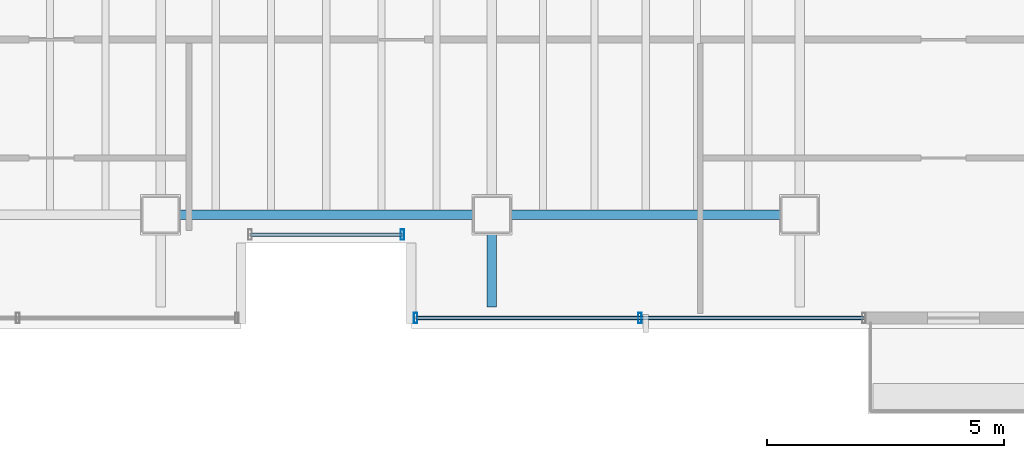
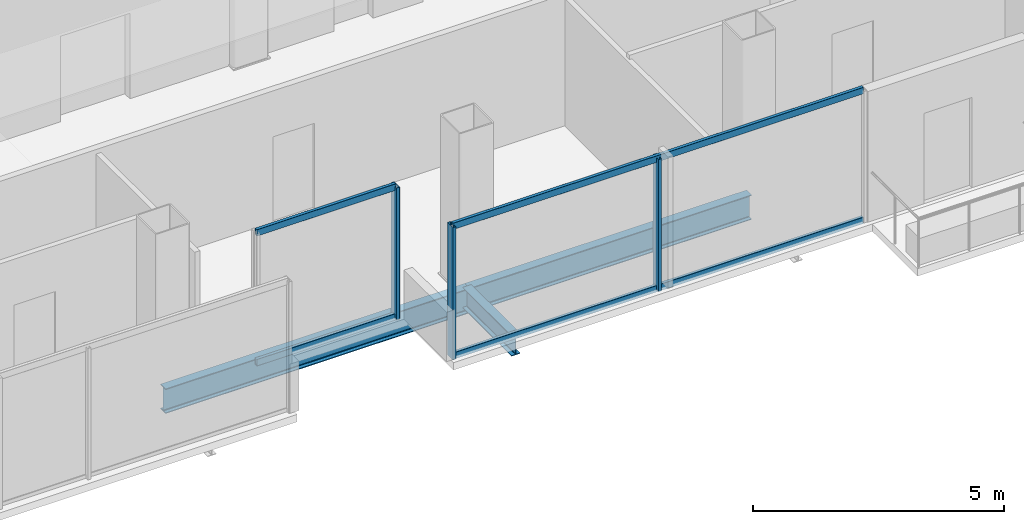
# One storey, part 6 of 17: 7 members, 3 beams, 2 elements without a shape of their own.
"""IFC4 building model written with IfcOpenShell, lengths in metres."""

import ifcopenshell
import ifcopenshell.guid

model = None  # the IFC model being written
_history = None  # IfcOwnerHistory: only IFC2X3 demands one
_inside = {}  # id of a spatial element -> (the spatial element, [elements in it])
_under = {}  # id of a project, library or spatial element -> (it, [spatial elements below it])
_declared = {}  # id of a project -> (the project, [libraries it declares])
_typed = {}  # id of a type object -> (the type object, [elements of that type])
_made_of = {}  # id of a material, layer set ... -> (it, [elements and type objects made of it])


def new_model(schema):
    """Start an empty IFC model of exactly this schema.

    Asked for "IFC4X3", IfcOpenShell would pick the latest addendum, in which some entities
    have other attributes; the version numbers below select the first issue.
    IFC2X3 requires an IfcOwnerHistory on every rooted entity: one is made here for all.
    """
    global model, _history
    if schema == "IFC4X3":
        model = ifcopenshell.file(schema_version=(4, 3, 0, 0))
    else:
        model = ifcopenshell.file(schema=schema)
    _inside.clear()
    _under.clear()
    _declared.clear()
    _typed.clear()
    _made_of.clear()
    _history = None
    if model.schema == "IFC2X3":
        org = make("IfcOrganization", Name="unknown")
        user = make(
            "IfcPersonAndOrganization",
            ThePerson=make("IfcPerson", FamilyName="unknown"),
            TheOrganization=org,
        )
        app = make(
            "IfcApplication",
            ApplicationDeveloper=org,
            Version="unknown",
            ApplicationFullName="unknown",
            ApplicationIdentifier="unknown",
        )
        _history = make(
            "IfcOwnerHistory",
            OwningUser=user,
            OwningApplication=app,
            ChangeAction="ADDED",
            CreationDate=0,
        )
    return model


def make(cls, **values):
    """One entity of the class cls with the attributes given. An attribute that is None is left unset."""
    return model.create_entity(
        cls, **{name: value for name, value in values.items() if value is not None}
    )


def rooted(cls, **values):
    """An entity with a GlobalId (a new one), such as an element, a storey or a relation."""
    return make(cls, GlobalId=ifcopenshell.guid.new(), OwnerHistory=_history, **values)


def si_unit(unit_type, name, prefix=None):
    """IfcSIUnit, for example si_unit("LENGTHUNIT", "METRE", prefix="MILLI")."""
    return make("IfcSIUnit", UnitType=unit_type, Prefix=prefix, Name=name)


def assignment(units):
    """IfcUnitAssignment: the units of a project."""
    return None if units is None else make("IfcUnitAssignment", Units=units)


def point(xyz):
    """IfcCartesianPoint."""
    return None if xyz is None else make("IfcCartesianPoint", Coordinates=xyz)


def direction(xyz):
    """IfcDirection."""
    return None if xyz is None else make("IfcDirection", DirectionRatios=xyz)


def frame(location, z_axis=None, x_axis=None):
    """IfcAxis2Placement3D, a coordinate frame: its origin and axes. An axis left out is left unset."""
    return make(
        "IfcAxis2Placement3D",
        Location=point(location),
        Axis=direction(z_axis),
        RefDirection=direction(x_axis),
    )


def frame_2d(location, x_axis=None):
    """IfcAxis2Placement2D, a coordinate frame in the plane: its origin and x axis."""
    return make(
        "IfcAxis2Placement2D", Location=point(location), RefDirection=direction(x_axis)
    )


def origin():
    """The frame at (0, 0, 0) with its axes left unset."""
    return frame((0.0, 0.0, 0.0))


def origin_2d():
    """The frame at (0, 0) in the plane with its x axis left unset."""
    return frame_2d((0.0, 0.0))


def place(relative_to, where):
    """IfcLocalPlacement: puts the frame where relative to a parent placement (None: the world)."""
    return make(
        "IfcLocalPlacement", PlacementRelTo=relative_to, RelativePlacement=where
    )


def context(
    kind, dimensions, precision=None, world=None, true_north=None, identifier=None
):
    """IfcGeometricRepresentationContext, for example the 3D "Model" context."""
    return make(
        "IfcGeometricRepresentationContext",
        ContextIdentifier=identifier,
        ContextType=kind,
        CoordinateSpaceDimension=dimensions,
        Precision=precision,
        WorldCoordinateSystem=world,
        TrueNorth=true_north,
    )


def subcontext(parent, identifier, kind, view, scale=None):
    """IfcGeometricRepresentationSubContext, for example "Body" below "Model"."""
    return make(
        "IfcGeometricRepresentationSubContext",
        ContextIdentifier=identifier,
        ContextType=kind,
        ParentContext=parent,
        TargetScale=scale,
        TargetView=view,
    )


def project(units=None, contexts=None):
    """IfcProject with its units and contexts."""
    return rooted(
        "IfcProject",
        Name="project",
        RepresentationContexts=contexts,
        UnitsInContext=assignment(units),
    )


def spatial(cls, under=None, at=None, **own):
    """A site, building, storey or space (cls), placed at a placement, below another one or the project."""
    s = rooted(cls, ObjectPlacement=at, **own)
    if under is not None:
        _under.setdefault(under.id(), (under, []))[1].append(s)
    return s


def profile(cls, at=None, kind="AREA", **sizes):
    """A parametric profile (cls). Its sizes go by their IFC names, for example OverallWidth=200.0."""
    return make(cls, ProfileType=kind, Position=at, **sizes)


def hollow_rectangle(**sizes):
    """IfcRectangleHollowProfileDef."""
    return profile("IfcRectangleHollowProfileDef", **sizes)


def i_section(**sizes):
    """IfcIShapeProfileDef."""
    return profile("IfcIShapeProfileDef", **sizes)


def extrude(swept, where, along, depth):
    """IfcExtrudedAreaSolid: the profile swept, set in the frame where, extruded along a direction by depth."""
    return make(
        "IfcExtrudedAreaSolid",
        SweptArea=swept,
        Position=where,
        ExtrudedDirection=direction(along),
        Depth=depth,
    )


def shape(context_of_items, identifier, shape_type, items):
    """IfcShapeRepresentation: the items that make up one representation, for example the "Body"."""
    return make(
        "IfcShapeRepresentation",
        ContextOfItems=context_of_items,
        RepresentationIdentifier=identifier,
        RepresentationType=shape_type,
        Items=items,
    )


def material(Name=None, Category=None):
    """IfcMaterial."""
    return make("IfcMaterial", Name=Name, Category=Category)


def material_profile(
    of_material, cross_section, Name=None, Category=None, Priority=None
):
    """IfcMaterialProfile: a cross section and its material."""
    return make(
        "IfcMaterialProfile",
        Name=Name,
        Material=of_material,
        Profile=cross_section,
        Priority=Priority,
        Category=Category,
    )


def profile_set(profiles, Name=None, composite=None):
    """IfcMaterialProfileSet."""
    return make(
        "IfcMaterialProfileSet",
        Name=Name,
        MaterialProfiles=profiles,
        CompositeProfile=composite,
    )


def made_of(thing, what):
    """Note that an element or type object is made of a material, layer set ...; save() writes the relation."""
    if what is not None:
        _made_of.setdefault(what.id(), (what, []))[1].append(thing)
    return thing


def type_object(cls, material=None, **own):
    """A type object (cls), such as IfcWallType, which elements share."""
    return made_of(rooted(cls, **own), material)


def element(
    cls,
    number,
    at=None,
    inside=None,
    cuts=None,
    type_object=None,
    material=None,
    context=None,
    identifier="Body",
    shape_type=None,
    held_by="IfcProductDefinitionShape",
    body=None,
    shapes=None,
    **own,
):
    """One element of the class cls, such as IfcWall. Its Tag is "e" and its number.

    at: its placement. inside: the storey or other place that contains it. cuts: it is an
    opening in that element (IfcRelVoidsElement). A single representation is given by context,
    identifier, shape_type and body (its items); several are given by shapes. held_by: the class
    of the entity that holds the representations. save() writes the other relations.
    """
    e = rooted(cls, Tag="e%d" % number, ObjectPlacement=at, **own)
    if body is not None:
        shapes = [shape(context, identifier, shape_type, body)]
    if shapes is not None:
        e.Representation = make(held_by, Representations=shapes)
    if inside is not None:
        _inside.setdefault(inside.id(), (inside, []))[1].append(e)
    if cuts is not None:
        rooted(
            "IfcRelVoidsElement", RelatingBuildingElement=cuts, RelatedOpeningElement=e
        )
    if type_object is not None:
        _typed.setdefault(type_object.id(), (type_object, []))[1].append(e)
    return made_of(e, material)


def aggregate(whole, parts):
    """IfcRelAggregates: a whole, such as a stair, and the parts it consists of."""
    return rooted("IfcRelAggregates", RelatingObject=whole, RelatedObjects=parts)


def save(model, path):
    """Write the relations noted so far, then the file.

    IfcRelAggregates (storeys below a building ...), IfcRelContainedInSpatialStructure (elements
    in a storey), IfcRelDefinesByType, IfcRelAssociatesMaterial and IfcRelDeclares: one each for
    every whole, place, type object, material and project.
    """
    for whole, parts in _under.values():
        aggregate(whole, parts)
    for where, things in _inside.values():
        rooted(
            "IfcRelContainedInSpatialStructure",
            RelatedElements=things,
            RelatingStructure=where,
        )
    for kind, things in _typed.values():
        rooted("IfcRelDefinesByType", RelatedObjects=things, RelatingType=kind)
    for what, things in _made_of.values():
        rooted("IfcRelAssociatesMaterial", RelatedObjects=things, RelatingMaterial=what)
    for by, libraries in _declared.values():
        rooted("IfcRelDeclares", RelatingContext=by, RelatedDefinitions=libraries)
    model.write(path)


model = new_model("IFC4")

# Units and contexts
model_context = context("Model", 3, precision=1e-05, world=origin(), true_north=direction((0.0, 1.0)))
body_context = subcontext(model_context, "Body", "Model", "MODEL_VIEW")
ifc_project = project(units=[si_unit("LENGTHUNIT", "METRE"), si_unit("AREAUNIT", "SQUARE_METRE"), si_unit("VOLUMEUNIT", "CUBIC_METRE"), si_unit("PLANEANGLEUNIT", "RADIAN"), si_unit("MASSUNIT", "GRAM", prefix="KILO")], contexts=[model_context])

# Site, building, storey
site_placement = place(None, origin())
site = spatial("IfcSite", under=ifc_project, at=site_placement, CompositionType="ELEMENT")
building_placement = place(site_placement, origin())
building = spatial("IfcBuilding", under=site, at=building_placement, Name="Noeulbin Bourse Tower", CompositionType="ELEMENT")
storey_placement = place(building_placement, frame((0.0, 0.0, 261.800048828125)))
storey = spatial("IfcBuildingStorey", under=building, at=storey_placement, Name="L65", CompositionType="ELEMENT", Elevation=261.800048828125)

# Beams
ifc_material_1 = material(Name="Steel S355", Category="steel")
ifc_material_profile_1 = material_profile(ifc_material_1, i_section(OverallWidth=0.199951171875, OverallDepth=0.5, WebThickness=0.010009765625, FlangeThickness=0.01611328125, FilletRadius=0.02001953125, at=origin_2d()), Name="H-500x200x10x16", Category="LoadBearing")
ifc_profile_set_1 = profile_set([ifc_material_profile_1], Name="Steel S355")
beam_type_1 = type_object("IfcBeamType", Name="BM-GRD-500", PredefinedType="USERDEFINED", material=ifc_profile_set_1)
beam_1_placement = place(storey_placement, frame((31.0, 18.050048828125, -0.429931640625), z_axis=(0.0, 1.0, 0.0), x_axis=(-1.0, 0.0, 0.0)))
element("IfcBeam", 1, at=beam_1_placement, inside=storey, type_object=beam_type_1, Name="Tower Primary Girder NS L65-3.1", ObjectType="GIRDER", PredefinedType="USERDEFINED", context=body_context, shape_type="SweptSolid", body=[
    extrude(i_section(OverallWidth=0.199951171875, OverallDepth=0.5, WebThickness=0.010009765625, FlangeThickness=0.01611328125, FilletRadius=0.02001953125, at=origin_2d()), origin(), (0.0, 0.0, 1.0), 1.949951171875),
])
ifc_material_profile_2 = material_profile(ifc_material_1, i_section(OverallWidth=0.199951171875, OverallDepth=0.60009765625, WebThickness=0.010986328125, FlangeThickness=0.01708984375, FilletRadius=0.02197265625, at=origin_2d()), Name="H-600x200x11x17", Category="LoadBearing")
ifc_profile_set_2 = profile_set([ifc_material_profile_2], Name="Steel S355")
beam_type_2 = type_object("IfcBeamType", Name="BM-GRD-600", PredefinedType="USERDEFINED", material=ifc_profile_set_2)
beam_2_placement = place(storey_placement, frame((24.0, 20.0, -0.47998046875), z_axis=(1.0, 0.0, 0.0), x_axis=(0.0, 1.0, 0.0)))
element("IfcBeam", 2, at=beam_2_placement, inside=storey, type_object=beam_type_2, Name="Tower Primary Girder EW L65-1.2", ObjectType="GIRDER", PredefinedType="USERDEFINED", context=body_context, shape_type="SweptSolid", body=[
    extrude(i_section(OverallWidth=0.199951171875, OverallDepth=0.60009765625, WebThickness=0.010986328125, FlangeThickness=0.01708984375, FilletRadius=0.02197265625, at=origin_2d()), origin(), (0.0, 0.0, 1.0), 7.0),
])
beam_3_placement = place(storey_placement, frame((31.0, 20.0, -0.47998046875), z_axis=(1.0, 0.0, 0.0), x_axis=(0.0, 1.0, 0.0)))
element("IfcBeam", 3, at=beam_3_placement, inside=storey, type_object=beam_type_2, Name="Tower Primary Girder EW L65-1.3", ObjectType="GIRDER", PredefinedType="USERDEFINED", context=body_context, shape_type="SweptSolid", body=[
    extrude(i_section(OverallWidth=0.199951171875, OverallDepth=0.60009765625, WebThickness=0.010986328125, FlangeThickness=0.01708984375, FilletRadius=0.02197265625, at=origin_2d()), origin(), (0.0, 0.0, 1.0), 6.5),
])

# Curtain wall, member
ifc_material_2 = material(Name="High-Selectivity Low-Iron Glazing", Category="glass")
curtain_wall_type = type_object("IfcCurtainWallType", Name="CW-SYS-4", PredefinedType="NOTDEFINED", material=ifc_material_2)
curtain_wall_1_placement = place(storey_placement, origin())
curtain_wall_1 = element("IfcCurtainWall", 4, at=curtain_wall_1_placement, inside=storey, type_object=curtain_wall_type, Name="Unitised Curtain Wall CW-L65-SREC", PredefinedType="NOTDEFINED")
ifc_material_3 = material(Name="Anodised Aluminium 6063-T6", Category="aluminium")
ifc_material_profile_3 = material_profile(ifc_material_3, hollow_rectangle(XDim=0.074951171875, YDim=0.219970703125, WallThickness=0.0048828125, InnerFilletRadius=0.00244140625, OuterFilletRadius=0.0048828125, at=origin_2d()), Name="ALU-MULL-75x220x5", Category="LoadBearing")
ifc_profile_set_3 = profile_set([ifc_material_profile_3], Name="Anodised Aluminium 6063-T6")
member_type_1 = type_object("IfcMemberType", Name="CW-SYS-4-MUL", PredefinedType="MULLION", material=ifc_profile_set_3)
member_1_placement = place(storey_placement, frame((29.110107421875, 19.580078125, -0.02001953125), z_axis=(0.0, 0.0, 1.0), x_axis=(1.0, 0.0, 0.0)))
member_1 = element("IfcMember", 5, at=member_1_placement, type_object=member_type_1, Name="Curtain Wall Mullion CW-L65-SREC-M01", PredefinedType="MULLION", context=body_context, shape_type="SweptSolid", body=[
    extrude(hollow_rectangle(XDim=0.074951171875, YDim=0.219970703125, WallThickness=0.0048828125, InnerFilletRadius=0.00244140625, OuterFilletRadius=0.0048828125, at=origin_2d()), origin(), (0.0, 0.0, 1.0), 3.219970703125),
])

# Curtain wall, members
curtain_wall_2_placement = place(storey_placement, origin())
curtain_wall_2 = element("IfcCurtainWall", 6, at=curtain_wall_2_placement, inside=storey, type_object=curtain_wall_type, Name="Unitised Curtain Wall CW-L65-S2", PredefinedType="NOTDEFINED")
member_2_placement = place(storey_placement, frame((29.389892578125, 17.820068359375, -0.02001953125), z_axis=(0.0, 0.0, 1.0), x_axis=(1.0, 0.0, 0.0)))
member_2 = element("IfcMember", 7, at=member_2_placement, type_object=member_type_1, Name="Curtain Wall Mullion CW-L65-S2-M00", PredefinedType="MULLION", context=body_context, shape_type="SweptSolid", body=[
    extrude(hollow_rectangle(XDim=0.074951171875, YDim=0.219970703125, WallThickness=0.0048828125, InnerFilletRadius=0.00244140625, OuterFilletRadius=0.0048828125, at=origin_2d()), origin(), (0.0, 0.0, 1.0), 3.219970703125),
])
member_3_placement = place(storey_placement, frame((34.125, 17.820068359375, -0.02001953125), z_axis=(0.0, 0.0, 1.0), x_axis=(1.0, 0.0, 0.0)))
member_3 = element("IfcMember", 8, at=member_3_placement, type_object=member_type_1, Name="Curtain Wall Mullion CW-L65-S2-M01", PredefinedType="MULLION", context=body_context, shape_type="SweptSolid", body=[
    extrude(hollow_rectangle(XDim=0.074951171875, YDim=0.219970703125, WallThickness=0.0048828125, InnerFilletRadius=0.00244140625, OuterFilletRadius=0.0048828125, at=origin_2d()), origin(), (0.0, 0.0, 1.0), 3.219970703125),
])

# Member
ifc_material_profile_4 = material_profile(ifc_material_3, hollow_rectangle(XDim=0.074951171875, YDim=0.159912109375, WallThickness=0.0048828125, InnerFilletRadius=0.00244140625, OuterFilletRadius=0.0048828125, at=origin_2d()), Name="ALU-TRAN-75x160x5", Category="LoadBearing")
ifc_profile_set_4 = profile_set([ifc_material_profile_4], Name="Anodised Aluminium 6063-T6")
member_type_2 = type_object("IfcMemberType", Name="CW-SYS-4-TRN", PredefinedType="USERDEFINED", material=ifc_profile_set_4)
member_4_placement = place(storey_placement, frame((25.89990234375, 19.580078125, 0.010009765625), z_axis=(1.0, 0.0, 0.0), x_axis=(0.0, 1.0, 0.0)))
member_4 = element("IfcMember", 9, at=member_4_placement, type_object=member_type_2, Name="Curtain Wall Transom CW-L65-SREC-T00", ObjectType="TRANSOM", PredefinedType="USERDEFINED", context=body_context, shape_type="SweptSolid", body=[
    extrude(hollow_rectangle(XDim=0.074951171875, YDim=0.159912109375, WallThickness=0.0048828125, InnerFilletRadius=0.00244140625, OuterFilletRadius=0.0048828125, at=origin_2d()), origin(), (0.0, 0.0, 1.0), 3.2001953125),
])

member_5_placement = place(storey_placement, frame((25.89990234375, 19.580078125, 3.169921875), z_axis=(1.0, 0.0, 0.0), x_axis=(0.0, 1.0, 0.0)))
member_5 = element("IfcMember", 10, at=member_5_placement, type_object=member_type_2, Name="Curtain Wall Transom CW-L65-SREC-T01", ObjectType="TRANSOM", PredefinedType="USERDEFINED", context=body_context, shape_type="SweptSolid", body=[
    extrude(hollow_rectangle(XDim=0.074951171875, YDim=0.159912109375, WallThickness=0.0048828125, InnerFilletRadius=0.00244140625, OuterFilletRadius=0.0048828125, at=origin_2d()), origin(), (0.0, 0.0, 1.0), 3.2001953125),
])

aggregate(curtain_wall_1, [member_1, member_4, member_5])

member_6_placement = place(storey_placement, frame((29.39990234375, 17.820068359375, 0.010009765625), z_axis=(1.0, 0.0, 0.0), x_axis=(0.0, 1.0, 0.0)))
member_6 = element("IfcMember", 11, at=member_6_placement, type_object=member_type_2, Name="Curtain Wall Transom CW-L65-S2-T00", ObjectType="TRANSOM", PredefinedType="USERDEFINED", context=body_context, shape_type="SweptSolid", body=[
    extrude(hollow_rectangle(XDim=0.074951171875, YDim=0.159912109375, WallThickness=0.0048828125, InnerFilletRadius=0.00244140625, OuterFilletRadius=0.0048828125, at=origin_2d()), origin(), (0.0, 0.0, 1.0), 9.4501953125),
])

member_7_placement = place(storey_placement, frame((29.39990234375, 17.820068359375, 3.169921875), z_axis=(1.0, 0.0, 0.0), x_axis=(0.0, 1.0, 0.0)))
member_7 = element("IfcMember", 12, at=member_7_placement, type_object=member_type_2, Name="Curtain Wall Transom CW-L65-S2-T01", ObjectType="TRANSOM", PredefinedType="USERDEFINED", context=body_context, shape_type="SweptSolid", body=[
    extrude(hollow_rectangle(XDim=0.074951171875, YDim=0.159912109375, WallThickness=0.0048828125, InnerFilletRadius=0.00244140625, OuterFilletRadius=0.0048828125, at=origin_2d()), origin(), (0.0, 0.0, 1.0), 9.4501953125),
])

aggregate(curtain_wall_2, [member_2, member_3, member_6, member_7])

save(model, "model.ifc")
